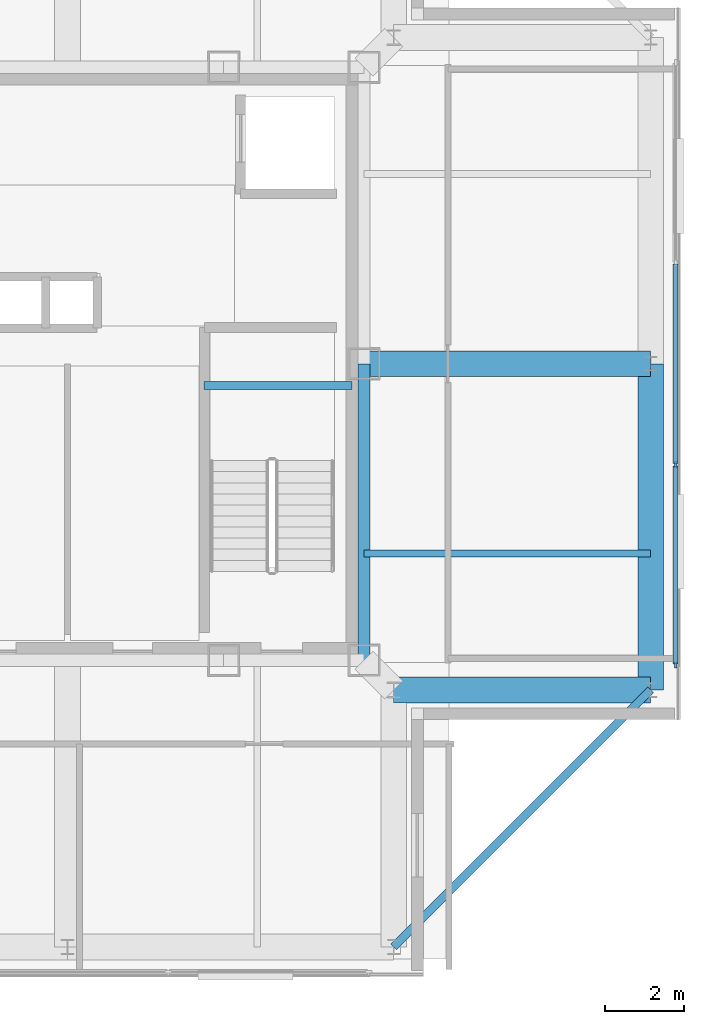
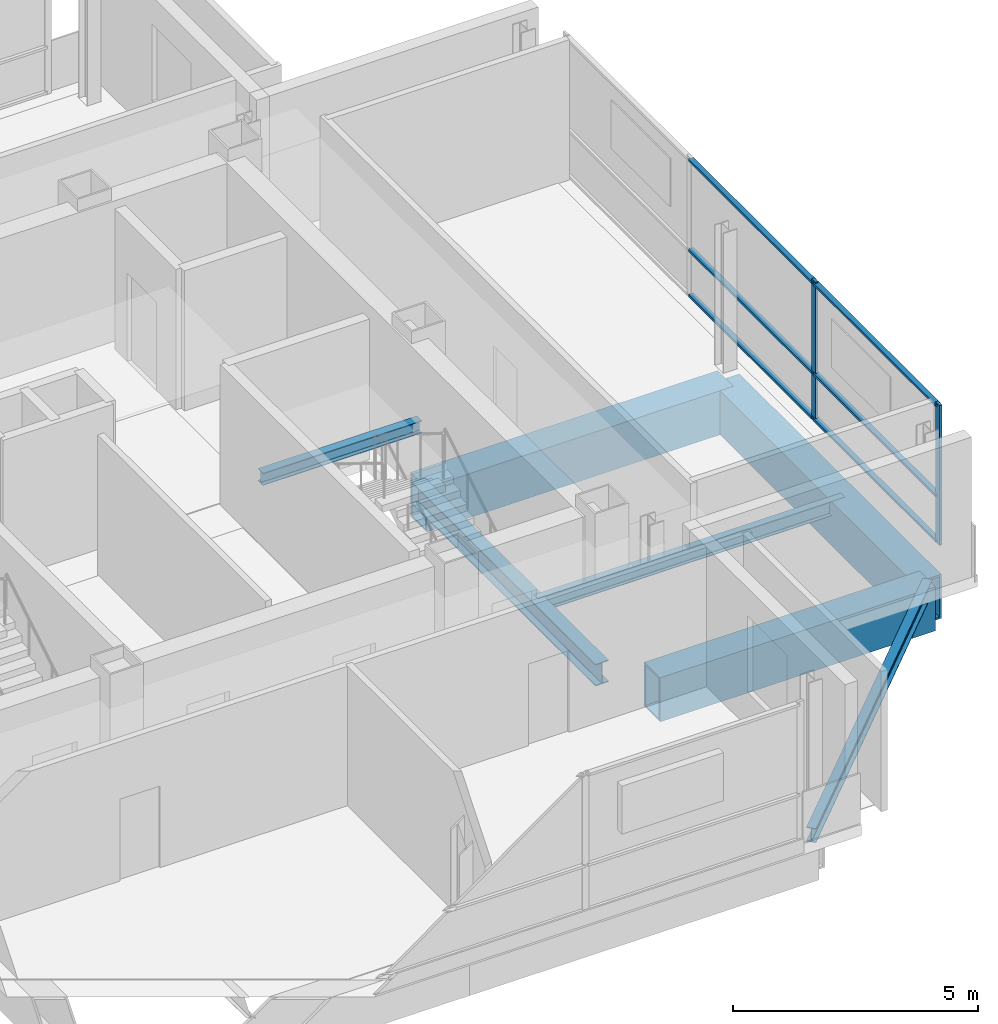
# One storey, part 3 of 10: 8 members, 7 beams, 1 element without a shape of its own.
"""IFC4 building model written with IfcOpenShell, lengths in metres."""

from ifc_helpers import new_model, si_unit, direction, frame, origin, origin_2d, place, context, subcontext, project, spatial, rectangle, hollow_rectangle, i_section, extrude, material, layer, layer_set, material_profile, profile_set, type_object, element, aggregate, save


model = new_model("IFC4")

# Units and contexts
model_context = context("Model", 3, precision=1e-05, world=origin(), true_north=direction((0.0, 1.0)))
body_context = subcontext(model_context, "Body", "Model", "MODEL_VIEW")
ifc_project = project(units=[si_unit("LENGTHUNIT", "METRE"), si_unit("AREAUNIT", "SQUARE_METRE"), si_unit("VOLUMEUNIT", "CUBIC_METRE"), si_unit("PLANEANGLEUNIT", "RADIAN"), si_unit("MASSUNIT", "GRAM", prefix="KILO")], contexts=[model_context])

# Site, building, storey
site_placement = place(None, origin())
site = spatial("IfcSite", under=ifc_project, at=site_placement, CompositionType="ELEMENT")
building_placement = place(site_placement, origin())
building = spatial("IfcBuilding", under=site, at=building_placement, Name="Trevonay Congress Spire", CompositionType="ELEMENT")
storey_placement = place(building_placement, frame((0.0, 0.0, 319.800048828125)))
storey = spatial("IfcBuildingStorey", under=building, at=storey_placement, Name="L84", CompositionType="ELEMENT", Elevation=319.800048828125)

# Beams
ifc_material_1 = material(Name="Steel ASTM A572 Grade 50", Category="steel")
ifc_material_profile_1 = material_profile(ifc_material_1, i_section(OverallWidth=0.31201171875, OverallDepth=0.54296875, WebThickness=0.0126953125, FlangeThickness=0.020263671875, FilletRadius=0.014892578125, at=origin_2d()), Name="W530x150")
ifc_profile_set_1 = profile_set([ifc_material_profile_1], Name="Steel ASTM A572 Grade 50")
beam_type_1 = type_object("IfcBeamType", Name="BM-GIRD-W530X150", PredefinedType="BEAM", material=ifc_profile_set_1)
beam_1_placement = place(storey_placement, frame((7.5, -7.5, -0.551513671875), z_axis=(0.0, 1.0, 0.0), x_axis=(-1.0, 0.0, 0.0)))
element("IfcBeam", 1, at=beam_1_placement, inside=storey, type_object=beam_type_1, Name="L84 structural beam BM-L84-CR-E1", PredefinedType="BEAM", context=body_context, shape_type="SweptSolid", body=[
    extrude(i_section(OverallWidth=0.31201171875, OverallDepth=0.54296875, WebThickness=0.0126953125, FlangeThickness=0.020263671875, FilletRadius=0.014892578125, at=origin_2d()), origin(), (0.0, 0.0, 1.0), 7.5),
])
ifc_material_profile_2 = material_profile(ifc_material_1, hollow_rectangle(XDim=0.64990234375, YDim=1.10009765625, WallThickness=0.044921875, at=origin_2d()), Name="BOX 1100x650x45")
ifc_profile_set_2 = profile_set([ifc_material_profile_2], Name="Steel ASTM A572 Grade 50")
beam_type_2 = type_object("IfcBeamType", Name="BM-RING-BOX1100", PredefinedType="BEAM", material=ifc_profile_set_2)
beam_2_placement = place(storey_placement, frame((14.75, -8.25, -0.830078125), z_axis=(0.0, 1.0, 0.0), x_axis=(-1.0, 0.0, 0.0)))
element("IfcBeam", 2, at=beam_2_placement, inside=storey, type_object=beam_type_2, Name="L84 structural beam BM-L84-PE1", PredefinedType="BEAM", context=body_context, shape_type="SweptSolid", body=[
    extrude(hollow_rectangle(XDim=0.64990234375, YDim=1.10009765625, WallThickness=0.044921875, at=origin_2d()), origin(), (0.0, 0.0, 1.0), 8.25),
])
beam_3_placement = place(storey_placement, frame((14.75, -8.25, -0.830078125), z_axis=(-1.0, 0.0, 0.0), x_axis=(0.0, -1.0, 0.0)))
element("IfcBeam", 3, at=beam_3_placement, inside=storey, type_object=beam_type_2, Name="L84 structural beam BM-L84-N2SE", PredefinedType="BEAM", context=body_context, shape_type="SweptSolid", body=[
    extrude(hollow_rectangle(XDim=0.64990234375, YDim=1.10009765625, WallThickness=0.044921875, at=origin_2d()), origin(), (0.0, 0.0, 1.0), 6.5),
])
ifc_material_profile_3 = material_profile(ifc_material_1, hollow_rectangle(XDim=0.64990234375, YDim=1.10009765625, WallThickness=0.044921875, at=origin_2d()), Name="BOX 1100x650x45")
ifc_profile_set_3 = profile_set([ifc_material_profile_3], Name="Steel ASTM A572 Grade 50")
beam_type_3 = type_object("IfcBeamType", Name="BM-XFER-BOX1100", PredefinedType="BEAM", material=ifc_profile_set_3)
beam_4_placement = place(storey_placement, frame((7.5, 0.0, -0.830078125), z_axis=(1.0, 0.0, 0.0), x_axis=(0.0, 1.0, 0.0)))
element("IfcBeam", 4, at=beam_4_placement, inside=storey, type_object=beam_type_3, Name="L84 structural beam BM-L84-GC-E", PredefinedType="BEAM", context=body_context, shape_type="SweptSolid", body=[
    extrude(hollow_rectangle(XDim=0.64990234375, YDim=1.10009765625, WallThickness=0.044921875, at=origin_2d()), origin(), (0.0, 0.0, 1.0), 7.25),
])

# Curtain wall, members
ifc_material_2 = material(Name="Pale Anodised Aluminium EN AW-6063-T6", Category="aluminium")
ifc_layer = layer(ifc_material_2, 0.159912109375, Name="Pale Anodised Aluminium EN AW-6063-T6")
ifc_layer_set = layer_set([ifc_layer], Name="Pale Anodised Aluminium EN AW-6063-T6")
curtain_wall_type = type_object("IfcCurtainWallType", Name="CW-SYS06-CROWN-PALE-METAL", PredefinedType="NOTDEFINED", material=ifc_layer_set)
curtain_wall_placement = place(storey_placement, origin())
curtain_wall = element("IfcCurtainWall", 5, at=curtain_wall_placement, inside=storey, type_object=curtain_wall_type, Name="L84 E unitised curtain wall", PredefinedType="NOTDEFINED")
ifc_material_profile_4 = material_profile(ifc_material_2, rectangle(XDim=0.06005859375, YDim=0.159912109375, at=origin_2d()), Name="CW-MULLION-160-ALUMINIUM")
ifc_profile_set_4 = profile_set([ifc_material_profile_4], Name="Pale Anodised Aluminium EN AW-6063-T6")
member_type_1 = type_object("IfcMemberType", Name="CW-MULLION-160-ALUMINIUM", PredefinedType="MULLION", material=ifc_profile_set_4)
member_1_placement = place(storey_placement, frame((15.3798828125, -7.6201171875, 0.0), z_axis=(0.0, 0.0, 1.0), x_axis=(-1.0, 0.0, 0.0)))
member_1 = element("IfcMember", 6, at=member_1_placement, type_object=member_type_1, Name="CW06 mullion 1", PredefinedType="MULLION", context=body_context, shape_type="SweptSolid", body=[
    extrude(rectangle(XDim=0.06005859375, YDim=0.159912109375, at=origin_2d()), origin(), (0.0, 0.0, 1.0), 3.5),
])
member_2_placement = place(storey_placement, frame((15.3798828125, -2.550048828125, 0.0), z_axis=(0.0, 0.0, 1.0), x_axis=(-1.0, 0.0, 0.0)))
member_2 = element("IfcMember", 7, at=member_2_placement, type_object=member_type_1, Name="CW06 mullion 2", PredefinedType="MULLION", context=body_context, shape_type="SweptSolid", body=[
    extrude(rectangle(XDim=0.06005859375, YDim=0.159912109375, at=origin_2d()), origin(), (0.0, 0.0, 1.0), 3.5),
])
ifc_material_profile_5 = material_profile(ifc_material_2, rectangle(XDim=0.1201171875, YDim=0.06005859375, at=origin_2d()), Name="CW-TRANSOM-120-ALUMINIUM")
ifc_profile_set_5 = profile_set([ifc_material_profile_5], Name="Pale Anodised Aluminium EN AW-6063-T6")
member_type_2 = type_object("IfcMemberType", Name="CW-TRANSOM-120-ALUMINIUM", PredefinedType="USERDEFINED", material=ifc_profile_set_5)
member_3_placement = place(storey_placement, frame((15.3798828125, -7.590087890625, 0.06005859375), z_axis=(0.0, 1.0, 0.0), x_axis=(-1.0, 0.0, 0.0)))
member_3 = element("IfcMember", 8, at=member_3_placement, type_object=member_type_2, Name="CW06 transom 1.1", ObjectType="TRANSOM", PredefinedType="USERDEFINED", context=body_context, shape_type="SweptSolid", body=[
    extrude(rectangle(XDim=0.1201171875, YDim=0.06005859375, at=origin_2d()), origin(), (0.0, 0.0, 1.0), 5.010009765625),
])
member_4_placement = place(storey_placement, frame((15.3798828125, -7.590087890625, 1.18994140625), z_axis=(0.0, 1.0, 0.0), x_axis=(-1.0, 0.0, 0.0)))
member_4 = element("IfcMember", 9, at=member_4_placement, type_object=member_type_2, Name="CW06 transom 1.2", ObjectType="TRANSOM", PredefinedType="USERDEFINED", context=body_context, shape_type="SweptSolid", body=[
    extrude(rectangle(XDim=0.1201171875, YDim=0.06005859375, at=origin_2d()), origin(), (0.0, 0.0, 1.0), 5.010009765625),
])
member_5_placement = place(storey_placement, frame((15.3798828125, -7.590087890625, 3.43994140625), z_axis=(0.0, 1.0, 0.0), x_axis=(-1.0, 0.0, 0.0)))
member_5 = element("IfcMember", 10, at=member_5_placement, type_object=member_type_2, Name="CW06 transom 1.3", ObjectType="TRANSOM", PredefinedType="USERDEFINED", context=body_context, shape_type="SweptSolid", body=[
    extrude(rectangle(XDim=0.1201171875, YDim=0.06005859375, at=origin_2d()), origin(), (0.0, 0.0, 1.0), 5.010009765625),
])
member_6_placement = place(storey_placement, frame((15.3798828125, -2.52001953125, 0.06005859375), z_axis=(0.0, 1.0, 0.0), x_axis=(-1.0, 0.0, 0.0)))
member_6 = element("IfcMember", 11, at=member_6_placement, type_object=member_type_2, Name="CW06 transom 2.1", ObjectType="TRANSOM", PredefinedType="USERDEFINED", context=body_context, shape_type="SweptSolid", body=[
    extrude(rectangle(XDim=0.1201171875, YDim=0.06005859375, at=origin_2d()), origin(), (0.0, 0.0, 1.0), 5.0400390625),
])
member_7_placement = place(storey_placement, frame((15.3798828125, -2.52001953125, 1.18994140625), z_axis=(0.0, 1.0, 0.0), x_axis=(-1.0, 0.0, 0.0)))
member_7 = element("IfcMember", 12, at=member_7_placement, type_object=member_type_2, Name="CW06 transom 2.2", ObjectType="TRANSOM", PredefinedType="USERDEFINED", context=body_context, shape_type="SweptSolid", body=[
    extrude(rectangle(XDim=0.1201171875, YDim=0.06005859375, at=origin_2d()), origin(), (0.0, 0.0, 1.0), 5.0400390625),
])
member_8_placement = place(storey_placement, frame((15.3798828125, -2.52001953125, 3.43994140625), z_axis=(0.0, 1.0, 0.0), x_axis=(-1.0, 0.0, 0.0)))
member_8 = element("IfcMember", 13, at=member_8_placement, type_object=member_type_2, Name="CW06 transom 2.3", ObjectType="TRANSOM", PredefinedType="USERDEFINED", context=body_context, shape_type="SweptSolid", body=[
    extrude(rectangle(XDim=0.1201171875, YDim=0.06005859375, at=origin_2d()), origin(), (0.0, 0.0, 1.0), 5.0400390625),
])
aggregate(curtain_wall, [member_1, member_2, member_3, member_4, member_5, member_6, member_7, member_8])

# Beams
ifc_material_profile_6 = material_profile(ifc_material_1, i_section(OverallWidth=0.172119140625, OverallDepth=0.35791015625, WebThickness=0.0078125, FlangeThickness=0.01318359375, FilletRadius=0.011962890625, at=origin_2d()), Name="W360x57.8")
ifc_profile_set_6 = profile_set([ifc_material_profile_6], Name="Steel ASTM A572 Grade 50")
beam_type_4 = type_object("IfcBeamType", Name="JS-COMP-W360X57", PredefinedType="JOIST", material=ifc_profile_set_6)
beam_5_placement = place(storey_placement, frame((7.5, -4.800048828125, -0.458984375), z_axis=(1.0, 0.0, 0.0), x_axis=(0.0, 1.0, 0.0)))
element("IfcBeam", 14, at=beam_5_placement, inside=storey, type_object=beam_type_4, Name="L84 structural beam JS-L84-EW-E1", PredefinedType="JOIST", context=body_context, shape_type="SweptSolid", body=[
    extrude(i_section(OverallWidth=0.172119140625, OverallDepth=0.35791015625, WebThickness=0.0078125, FlangeThickness=0.01318359375, FilletRadius=0.011962890625, at=origin_2d()), origin(), (0.0, 0.0, 1.0), 7.25),
])
ifc_material_profile_7 = material_profile(ifc_material_1, i_section(OverallWidth=0.2041015625, OverallDepth=0.305908203125, WebThickness=0.008544921875, FlangeThickness=0.0146484375, FilletRadius=0.010986328125, at=origin_2d()), Name="W310x67")
ifc_profile_set_7 = profile_set([ifc_material_profile_7], Name="Steel ASTM A572 Grade 50")
beam_type_5 = type_object("IfcBeamType", Name="LN-CORE-W310X67", PredefinedType="LINTEL", material=ifc_profile_set_7)
beam_6_placement = place(storey_placement, frame((3.449951171875, -0.550048828125, 1.546875), z_axis=(1.0, 0.0, 0.0), x_axis=(0.0, 1.0, 0.0)))
element("IfcBeam", 15, at=beam_6_placement, inside=storey, type_object=beam_type_5, Name="L84 structural beam BM-L84-HL-ST2", PredefinedType="LINTEL", context=body_context, shape_type="SweptSolid", body=[
    extrude(i_section(OverallWidth=0.2041015625, OverallDepth=0.305908203125, WebThickness=0.008544921875, FlangeThickness=0.0146484375, FilletRadius=0.010986328125, at=origin_2d()), origin(), (0.0, 0.0, 1.0), 3.75),
])
ifc_material_profile_8 = material_profile(ifc_material_1, i_section(OverallWidth=0.205078125, OverallDepth=0.35400390625, WebThickness=0.009521484375, FlangeThickness=0.016845703125, FilletRadius=0.011962890625, at=origin_2d()), Name="W360x79")
ifc_profile_set_8 = profile_set([ifc_material_profile_8], Name="Steel ASTM A572 Grade 50")
beam_type_6 = type_object("IfcBeamType", Name="SPB-HSS350", PredefinedType="SPANDREL", material=ifc_profile_set_8)
beam_7_placement = place(storey_placement, frame((8.25, -14.75, -0.45703125), z_axis=(0.707106781187, 0.707106781187, 0.0), x_axis=(-0.707106781187, 0.707106781187, 0.0)))
element("IfcBeam", 16, at=beam_7_placement, inside=storey, type_object=beam_type_6, Name="L84 structural beam SPB-L84-SE", PredefinedType="SPANDREL", context=body_context, shape_type="SweptSolid", body=[
    extrude(i_section(OverallWidth=0.205078125, OverallDepth=0.35400390625, WebThickness=0.009521484375, FlangeThickness=0.016845703125, FilletRadius=0.011962890625, at=origin_2d()), origin(), (0.0, 0.0, 1.0), 9.1923828125),
])

save(model, "model.ifc")
